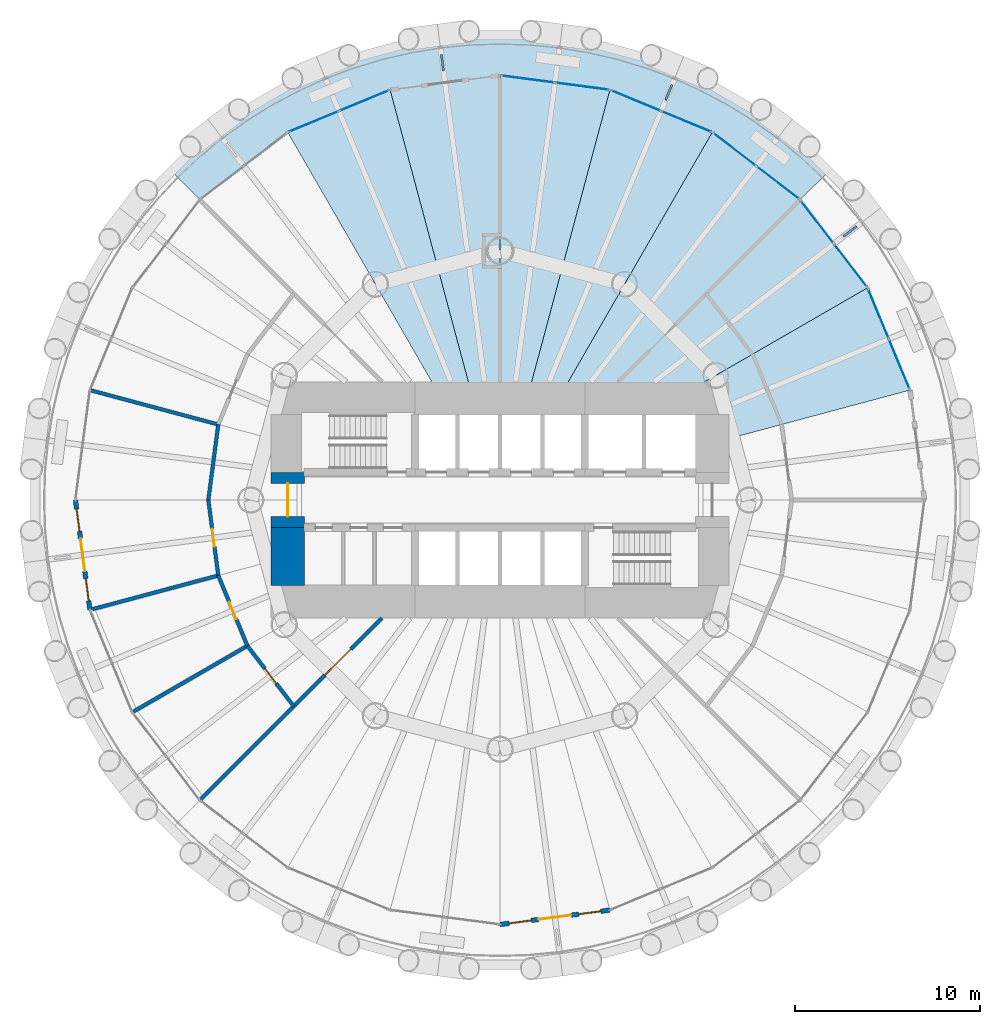
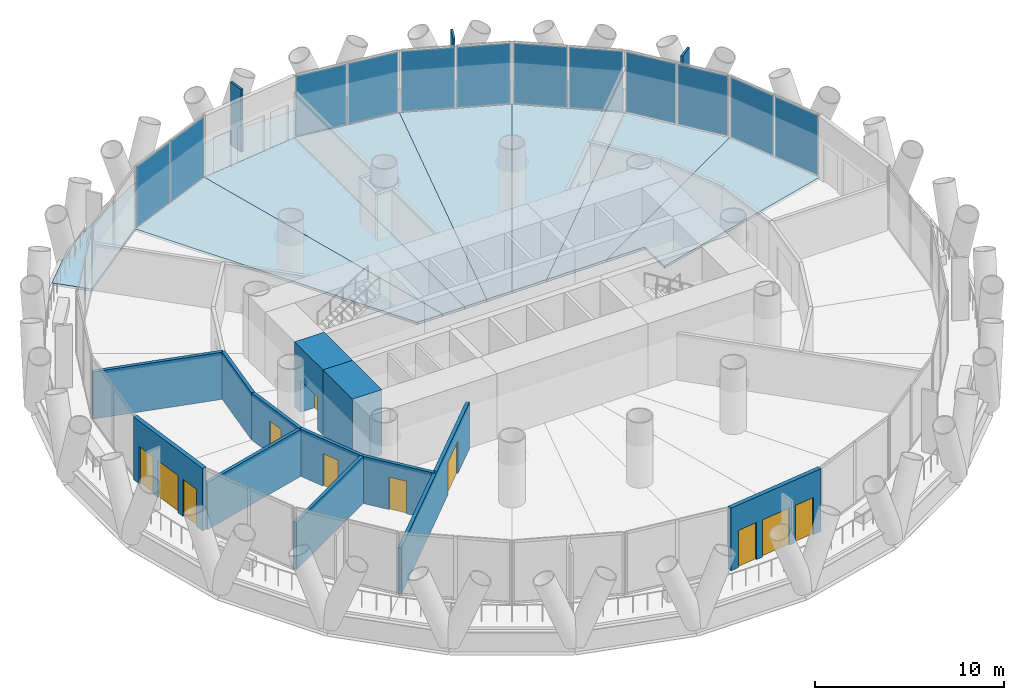
# One storey, part 8 of 14: 15 plates, 12 walls, 8 slabs, 7 doors, 4 windows, 11 openings, 6 elements without a shape of their own.
"""IFC4 building model written with IfcOpenShell, lengths in metres."""

from ifc_helpers import new_model, si_unit, direction, frame, frame_2d, origin, origin_2d, place, context, subcontext, project, spatial, polyline, rectangle, outline, extrude, material, layer, layer_set, type_object, element, fill, aggregate, save


model = new_model("IFC4")

# Units and contexts
model_context = context("Model", 3, precision=1e-05, world=origin(), true_north=direction((0.0, 1.0)))
body_context = subcontext(model_context, "Body", "Model", "MODEL_VIEW")
ifc_project = project(units=[si_unit("LENGTHUNIT", "METRE"), si_unit("AREAUNIT", "SQUARE_METRE"), si_unit("VOLUMEUNIT", "CUBIC_METRE"), si_unit("PLANEANGLEUNIT", "RADIAN"), si_unit("MASSUNIT", "GRAM", prefix="KILO")], contexts=[model_context])

# Site, building, storey
site_placement = place(None, origin())
site = spatial("IfcSite", under=ifc_project, at=site_placement, CompositionType="ELEMENT")
building_placement = place(site_placement, origin())
building = spatial("IfcBuilding", under=site, at=building_placement, Name="Qaws Media Tower", CompositionType="ELEMENT")
storey_placement = place(building_placement, frame((0.0, 0.0, 68.0)))
storey = spatial("IfcBuildingStorey", under=building, at=storey_placement, Name="L14", CompositionType="ELEMENT", Elevation=68.0)

# Slabs
ifc_material_1 = material(Name="Concrete C35/45", Category="concrete")
ifc_layer_1 = layer(ifc_material_1, 0.159912109375)
ifc_layer_set_1 = layer_set([ifc_layer_1], Name="Composite balcony slab 160")
slab_type_1 = type_object("IfcSlabType", Name="Composite balcony slab 160", PredefinedType="FLOOR", material=ifc_layer_set_1)
slab_1_placement = place(storey_placement, frame((0.0, 0.0, -0.159912109375)))
element("IfcSlab", 1, at=slab_1_placement, inside=storey, type_object=slab_type_1, Name="S2 balcony slab L14 R04 to R10, movement joints on R04 and R10", PredefinedType="FLOOR", context=body_context, shape_type="SweptSolid", body=[
    extrude(outline(polyline([(44.53759765625, 70.151123046875), (50.27978515625, 73.466552734375), (56.6845703125, 75.1826171875), (63.3154296875, 75.1826171875), (69.72021484375, 73.466552734375), (75.46240234375, 70.151123046875), (77.806884765625, 67.806884765625), (76.263427734375, 66.263427734375), (71.5, 69.918701171875), (65.952880859375, 72.21630859375), (60.0, 73.0), (54.047119140625, 72.21630859375), (48.5, 69.918701171875), (43.736572265625, 66.263427734375), (42.193115234375, 67.806884765625), (44.53759765625, 70.151123046875)])), origin(), (0.0, 0.0, 1.0), 0.159912109375),
])
ifc_material_2 = material(Name="Concrete C35/45", Category="concrete")
ifc_layer_2 = layer(ifc_material_2, 0.159912109375)
ifc_layer_set_2 = layer_set([ifc_layer_2], Name="Composite floor slab 160")
slab_type_2 = type_object("IfcSlabType", Name="Composite floor slab 160", PredefinedType="FLOOR", material=ifc_layer_set_2)
slab_2_placement = place(storey_placement, frame((0.0, 0.0, -0.159912109375)))
element("IfcSlab", 2, at=slab_2_placement, inside=storey, type_object=slab_type_2, Name="S1 floor panel L14 on R02+7.5", PredefinedType="FLOOR", context=body_context, shape_type="SweptSolid", body=[
    extrude(outline(polyline([(82.21630859375, 55.952880859375), (71.0, 52.947509765625), (71.0, 55.0), (68.660400390625, 55.0), (79.918701171875, 61.5), (82.21630859375, 55.952880859375)])), origin(), (0.0, 0.0, 1.0), 0.159912109375),
])
slab_3_placement = place(storey_placement, frame((0.0, 0.0, -0.159912109375)))
element("IfcSlab", 3, at=slab_3_placement, inside=storey, type_object=slab_type_2, Name="S1 floor panel L14 on R03+7.5", PredefinedType="FLOOR", context=body_context, shape_type="SweptSolid", body=[
    extrude(outline(polyline([(79.918701171875, 61.5), (68.660400390625, 55.0), (65.0, 55.0), (76.263427734375, 66.263427734375), (79.918701171875, 61.5)])), origin(), (0.0, 0.0, 1.0), 0.159912109375),
])
slab_4_placement = place(storey_placement, frame((0.0, 0.0, -0.159912109375)))
element("IfcSlab", 4, at=slab_4_placement, inside=storey, type_object=slab_type_2, Name="S1 floor panel L14 on R04+7.5", PredefinedType="FLOOR", context=body_context, shape_type="SweptSolid", body=[
    extrude(outline(polyline([(71.5, 69.918701171875), (76.263427734375, 66.263427734375), (65.0, 55.0), (62.88671875, 55.0), (71.5, 69.918701171875)])), origin(), (0.0, 0.0, 1.0), 0.159912109375),
])
slab_5_placement = place(storey_placement, frame((0.0, 0.0, -0.159912109375)))
element("IfcSlab", 5, at=slab_5_placement, inside=storey, type_object=slab_type_2, Name="S1 floor panel L14 on R05+7.5", PredefinedType="FLOOR", context=body_context, shape_type="SweptSolid", body=[
    extrude(outline(polyline([(71.5, 69.918701171875), (62.88671875, 55.0), (61.339599609375, 55.0), (65.952880859375, 72.21630859375), (71.5, 69.918701171875)])), origin(), (0.0, 0.0, 1.0), 0.159912109375),
])
slab_6_placement = place(storey_placement, frame((0.0, 0.0, -0.159912109375)))
element("IfcSlab", 6, at=slab_6_placement, inside=storey, type_object=slab_type_2, Name="S1 floor panel L14 on R06+7.5", PredefinedType="FLOOR", context=body_context, shape_type="SweptSolid", body=[
    extrude(outline(polyline([(65.952880859375, 72.21630859375), (61.339599609375, 55.0), (60.0, 55.0), (60.0, 73.0), (65.952880859375, 72.21630859375)])), origin(), (0.0, 0.0, 1.0), 0.159912109375),
])
slab_7_placement = place(storey_placement, frame((0.0, 0.0, -0.159912109375)))
element("IfcSlab", 7, at=slab_7_placement, inside=storey, type_object=slab_type_2, Name="S1 floor panel L14 on R07+7.5", PredefinedType="FLOOR", context=body_context, shape_type="SweptSolid", body=[
    extrude(outline(polyline([(54.047119140625, 72.21630859375), (60.0, 73.0), (60.0, 55.0), (58.660400390625, 55.0), (54.047119140625, 72.21630859375)])), origin(), (0.0, 0.0, 1.0), 0.159912109375),
])
slab_8_placement = place(storey_placement, frame((0.0, 0.0, -0.159912109375)))
element("IfcSlab", 8, at=slab_8_placement, inside=storey, type_object=slab_type_2, Name="S1 floor panel L14 on R08+7.5", PredefinedType="FLOOR", context=body_context, shape_type="SweptSolid", body=[
    extrude(outline(polyline([(54.047119140625, 72.21630859375), (58.660400390625, 55.0), (57.11328125, 55.0), (48.5, 69.918701171875), (54.047119140625, 72.21630859375)])), origin(), (0.0, 0.0, 1.0), 0.159912109375),
])

# Curtain wall, plates
ifc_material_3 = material(Name="Aluminium and clear glass", Category="aluminium")
curtain_wall_type = type_object("IfcCurtainWallType", Name="Unitised curtain wall CW-A", PredefinedType="NOTDEFINED", material=ifc_material_3)
curtain_wall_1_placement = place(storey_placement, origin())
curtain_wall_1 = element("IfcCurtainWall", 9, at=curtain_wall_1_placement, inside=storey, type_object=curtain_wall_type, Name="CWA curtain wall L14-02", PredefinedType="NOTDEFINED")
ifc_material_4 = material(Name="Clear laminated double glazing", Category="glass")
ifc_layer_3 = layer(ifc_material_4, 0.031982421875)
ifc_layer_set_3 = layer_set([ifc_layer_3], Name="Curtain wall glass unit 32")
plate_type_1 = type_object("IfcPlateType", Name="Curtain wall glass unit 32", PredefinedType="CURTAIN_PANEL", material=ifc_layer_set_3)
plate_1_placement = place(storey_placement, frame((81.63427734375, 57.358154296875, 0.080078125), z_axis=(0.0, 0.0, 1.0), x_axis=(-0.382683470307, 0.923879516795, 0.0)))
plate_1 = element("IfcPlate", 10, at=plate_1_placement, type_object=plate_type_1, Name="CWA panel 1.1", PredefinedType="CURTAIN_PANEL", context=body_context, shape_type="SweptSolid", body=[
    extrude(rectangle(XDim=2.882080078125, YDim=0.031982421875, at=origin_2d()), origin(), (0.0, 0.0, 1.0), 3.8798828125),
])
plate_2_placement = place(storey_placement, frame((80.500732421875, 60.0947265625, 0.080078125), z_axis=(0.0, 0.0, 1.0), x_axis=(-0.382683470307, 0.923879516795, 0.0)))
plate_2 = element("IfcPlate", 11, at=plate_2_placement, type_object=plate_type_1, Name="CWA panel 2.1", PredefinedType="CURTAIN_PANEL", context=body_context, shape_type="SweptSolid", body=[
    extrude(rectangle(XDim=2.882080078125, YDim=0.031982421875, at=origin_2d()), origin(), (0.0, 0.0, 1.0), 3.8798828125),
])
aggregate(curtain_wall_1, [plate_1, plate_2])

curtain_wall_2_placement = place(storey_placement, origin())
curtain_wall_2 = element("IfcCurtainWall", 12, at=curtain_wall_2_placement, inside=storey, type_object=curtain_wall_type, Name="CWA curtain wall L14-03", PredefinedType="NOTDEFINED")
plate_3_placement = place(storey_placement, frame((78.99267578125, 62.706787109375, 0.080078125), z_axis=(0.0, 0.0, 1.0), x_axis=(-0.608761392855, 0.793353368033, 0.0)))
plate_3 = element("IfcPlate", 13, at=plate_3_placement, type_object=plate_type_1, Name="CWA panel 1.1", PredefinedType="CURTAIN_PANEL", context=body_context, shape_type="SweptSolid", body=[
    extrude(rectangle(XDim=2.882080078125, YDim=0.031982421875, at=origin_2d()), origin(), (0.0, 0.0, 1.0), 3.8798828125),
])
plate_4_placement = place(storey_placement, frame((77.189453125, 65.056640625, 0.080078125), z_axis=(0.0, 0.0, 1.0), x_axis=(-0.608761392855, 0.793353368033, 0.0)))
plate_4 = element("IfcPlate", 14, at=plate_4_placement, type_object=plate_type_1, Name="CWA panel 2.1", PredefinedType="CURTAIN_PANEL", context=body_context, shape_type="SweptSolid", body=[
    extrude(rectangle(XDim=2.882080078125, YDim=0.031982421875, at=origin_2d()), origin(), (0.0, 0.0, 1.0), 3.8798828125),
])
aggregate(curtain_wall_2, [plate_3, plate_4])

curtain_wall_3_placement = place(storey_placement, origin())
curtain_wall_3 = element("IfcCurtainWall", 15, at=curtain_wall_3_placement, inside=storey, type_object=curtain_wall_type, Name="CWA curtain wall L14-04", PredefinedType="NOTDEFINED")
plate_5_placement = place(storey_placement, frame((75.056640625, 67.189453125, 0.080078125), z_axis=(0.0, 0.0, 1.0), x_axis=(-0.793353368033, 0.608761392855, 0.0)))
plate_5 = element("IfcPlate", 16, at=plate_5_placement, type_object=plate_type_1, Name="CWA panel 1.1", PredefinedType="CURTAIN_PANEL", context=body_context, shape_type="SweptSolid", body=[
    extrude(rectangle(XDim=2.882080078125, YDim=0.031982421875, at=origin_2d()), origin(), (0.0, 0.0, 1.0), 3.8798828125),
])
plate_6_placement = place(storey_placement, frame((72.706787109375, 68.99267578125, 0.080078125), z_axis=(0.0, 0.0, 1.0), x_axis=(-0.793353368033, 0.608761392855, 0.0)))
plate_6 = element("IfcPlate", 17, at=plate_6_placement, type_object=plate_type_1, Name="CWA panel 2.1", PredefinedType="CURTAIN_PANEL", context=body_context, shape_type="SweptSolid", body=[
    extrude(rectangle(XDim=2.882080078125, YDim=0.031982421875, at=origin_2d()), origin(), (0.0, 0.0, 1.0), 3.8798828125),
])
aggregate(curtain_wall_3, [plate_5, plate_6])

curtain_wall_4_placement = place(storey_placement, origin())
curtain_wall_4 = element("IfcCurtainWall", 18, at=curtain_wall_4_placement, inside=storey, type_object=curtain_wall_type, Name="CWA curtain wall L14-05", PredefinedType="NOTDEFINED")
plate_7_placement = place(storey_placement, frame((70.0947265625, 70.500732421875, 0.080078125), z_axis=(0.0, 0.0, 1.0), x_axis=(-0.923879516795, 0.382683470307, 0.0)))
plate_7 = element("IfcPlate", 19, at=plate_7_placement, type_object=plate_type_1, Name="CWA panel 1.1", PredefinedType="CURTAIN_PANEL", context=body_context, shape_type="SweptSolid", body=[
    extrude(rectangle(XDim=2.882080078125, YDim=0.031982421875, at=origin_2d()), origin(), (0.0, 0.0, 1.0), 3.8798828125),
])
plate_8_placement = place(storey_placement, frame((67.358154296875, 71.63427734375, 0.080078125), z_axis=(0.0, 0.0, 1.0), x_axis=(-0.923879516795, 0.382683470307, 0.0)))
plate_8 = element("IfcPlate", 20, at=plate_8_placement, type_object=plate_type_1, Name="CWA panel 2.1", PredefinedType="CURTAIN_PANEL", context=body_context, shape_type="SweptSolid", body=[
    extrude(rectangle(XDim=2.882080078125, YDim=0.031982421875, at=origin_2d()), origin(), (0.0, 0.0, 1.0), 3.8798828125),
])
aggregate(curtain_wall_4, [plate_7, plate_8])

curtain_wall_5_placement = place(storey_placement, origin())
curtain_wall_5 = element("IfcCurtainWall", 21, at=curtain_wall_5_placement, inside=storey, type_object=curtain_wall_type, Name="CWA curtain wall L14-06", PredefinedType="NOTDEFINED")
plate_9_placement = place(storey_placement, frame((64.44482421875, 72.414794921875, 0.080078125), z_axis=(0.0, 0.0, 1.0), x_axis=(-0.991444861167, 0.130526193795, 0.0)))
plate_9 = element("IfcPlate", 22, at=plate_9_placement, type_object=plate_type_1, Name="CWA panel 1.1", PredefinedType="CURTAIN_PANEL", context=body_context, shape_type="SweptSolid", body=[
    extrude(rectangle(XDim=2.882080078125, YDim=0.031982421875, at=origin_2d()), origin(), (0.0, 0.0, 1.0), 3.8798828125),
])
plate_10_placement = place(storey_placement, frame((61.508056640625, 72.801513671875, 0.080078125), z_axis=(0.0, 0.0, 1.0), x_axis=(-0.991444861167, 0.130526193795, 0.0)))
plate_10 = element("IfcPlate", 23, at=plate_10_placement, type_object=plate_type_1, Name="CWA panel 2.1", PredefinedType="CURTAIN_PANEL", context=body_context, shape_type="SweptSolid", body=[
    extrude(rectangle(XDim=2.882080078125, YDim=0.031982421875, at=origin_2d()), origin(), (0.0, 0.0, 1.0), 3.8798828125),
])
aggregate(curtain_wall_5, [plate_9, plate_10])

curtain_wall_6_placement = place(storey_placement, origin())
curtain_wall_6 = element("IfcCurtainWall", 24, at=curtain_wall_6_placement, inside=storey, type_object=curtain_wall_type, Name="CWA curtain wall L14-08", PredefinedType="NOTDEFINED")
plate_11_placement = place(storey_placement, frame((52.641845703125, 71.63427734375, 0.080078125), z_axis=(0.0, 0.0, 1.0), x_axis=(-0.923879516795, -0.382683470307, 0.0)))
plate_11 = element("IfcPlate", 25, at=plate_11_placement, type_object=plate_type_1, Name="CWA panel 1.1", PredefinedType="CURTAIN_PANEL", context=body_context, shape_type="SweptSolid", body=[
    extrude(rectangle(XDim=2.882080078125, YDim=0.031982421875, at=origin_2d()), origin(), (0.0, 0.0, 1.0), 3.8798828125),
])
plate_12_placement = place(storey_placement, frame((49.9052734375, 70.500732421875, 0.080078125), z_axis=(0.0, 0.0, 1.0), x_axis=(-0.923879516795, -0.382683470307, 0.0)))
plate_12 = element("IfcPlate", 26, at=plate_12_placement, type_object=plate_type_1, Name="CWA panel 2.1", PredefinedType="CURTAIN_PANEL", context=body_context, shape_type="SweptSolid", body=[
    extrude(rectangle(XDim=2.882080078125, YDim=0.031982421875, at=origin_2d()), origin(), (0.0, 0.0, 1.0), 3.8798828125),
])
aggregate(curtain_wall_6, [plate_11, plate_12])

# Plates
ifc_material_5 = material(Name="Precast concrete screen fin", Category="concrete")
ifc_layer_4 = layer(ifc_material_5, 0.1201171875)
ifc_layer_set_4 = layer_set([ifc_layer_4], Name="Screen fin 120x900")
plate_type_2 = type_object("IfcPlateType", Name="Screen fin 120x900", PredefinedType="USERDEFINED", material=ifc_layer_set_4)
for number, where, z_axis, x_axis, name in (
    (27, (78.961181640625, 64.54931640625, 0.0), (0.0, 0.0, 1.0), (0.793353340291, 0.608761429009, 0.0), "SCR1 screen fin L14-02"),
    (28, (69.146240234375, 72.080810546875, 0.0), (0.0, 0.0, 1.0), (0.382683432365, 0.923879532511, 0.0), "SCR1 screen fin L14-03"),
    (29, (56.88037109375, 73.695556640625, 0.0), (0.0, 0.0, 1.0), (-0.13052619222, 0.991444861374, 0.0), "SCR1 screen fin L14-04"),
):
    element("IfcPlate", number, at=place(storey_placement, frame(where, z_axis=z_axis, x_axis=x_axis)), inside=storey, type_object=plate_type_2, Name=name, ObjectType="SCREEN", PredefinedType="USERDEFINED", context=body_context, shape_type="SweptSolid", body=[
        extrude(rectangle(XDim=0.89990234375, YDim=0.1201171875, at=origin_2d()), origin(), (0.0, 0.0, 1.0), 4.0400390625),
    ])

# Wall, openings, door, windows
ifc_material_6 = material(Name="Precast concrete, exposed finish", Category="concrete")
ifc_layer_5 = layer(ifc_material_6, 0.25)
ifc_layer_set_5 = layer_set([ifc_layer_5], Name="Balcony door wall 250")
wall_type_1 = type_object("IfcWallType", Name="Balcony door wall 250", PredefinedType="SOLIDWALL", material=ifc_layer_set_5)
wall_1_placement = place(storey_placement, frame((37.0, 50.0, 0.0), z_axis=(0.0, 0.0, 1.0), x_axis=(0.130522880875, -0.991445297315, 0.0)))
wall_1 = element("IfcWall", 30, at=wall_1_placement, inside=storey, type_object=wall_type_1, Name="W145 EW1 balcony door wall L14-13", PredefinedType="SOLIDWALL", context=body_context, shape_type="SweptSolid", body=[
    extrude(rectangle(XDim=6.004150390625, YDim=0.25, at=frame_2d((3.001953125, 0.0))), origin(), (0.0, 0.0, 1.0), 4.0400390625),
])
opening_1_placement = place(wall_1_placement, frame((2.10205078125, 0.0, 0.0)))
opening_1 = element("IfcOpeningElement", 31, at=opening_1_placement, cuts=wall_1, Name="Opening D7", PredefinedType="OPENING", context=body_context, shape_type="SweptSolid", body=[
    extrude(rectangle(XDim=1.800048828125, YDim=2.39990234375, at=frame_2d((0.89990234375, 1.199951171875))), frame((0.0, 0.135009765625, 0.0), z_axis=(0.0, -1.0, 0.0), x_axis=(1.0, 0.0, 0.0)), (0.0, 0.0, 1.0), 0.27001953125),
])
opening_2_placement = place(wall_1_placement, frame((0.502197265625, 0.0, 0.0)))
opening_2 = element("IfcOpeningElement", 32, at=opening_2_placement, cuts=wall_1, Name="Opening W1", PredefinedType="OPENING", context=body_context, shape_type="SweptSolid", body=[
    extrude(rectangle(XDim=1.199951171875, YDim=2.39990234375, at=frame_2d((0.60009765625, 1.199951171875))), frame((0.0, 0.135009765625, 0.0), z_axis=(0.0, -1.0, 0.0), x_axis=(1.0, 0.0, 0.0)), (0.0, 0.0, 1.0), 0.27001953125),
])
opening_3_placement = place(wall_1_placement, frame((4.302001953125, 0.0, 0.0)))
opening_3 = element("IfcOpeningElement", 33, at=opening_3_placement, cuts=wall_1, Name="Opening W1", PredefinedType="OPENING", context=body_context, shape_type="SweptSolid", body=[
    extrude(rectangle(XDim=1.199951171875, YDim=2.39990234375, at=frame_2d((0.60009765625, 1.199951171875))), frame((0.0, 0.135009765625, 0.0), z_axis=(0.0, -1.0, 0.0), x_axis=(1.0, 0.0, 0.0)), (0.0, 0.0, 1.0), 0.27001953125),
])
ifc_material_7 = material(Name="Aluminium and clear glass", Category="aluminium")
door_type_1 = type_object("IfcDoorType", Name="Balcony door pair 1800", OperationType="DOUBLE_DOOR_SLIDING", PredefinedType="DOOR", material=ifc_material_7)
door_1_placement = place(opening_1_placement, origin())
door_1 = element("IfcDoor", 34, at=door_1_placement, inside=storey, type_object=door_type_1, Name="D7 balcony door L14-13 in wall W145", OperationType="DOUBLE_DOOR_SLIDING", OverallHeight=2.39990234375, OverallWidth=1.800048828125, PredefinedType="DOOR", context=body_context, shape_type="SweptSolid", body=[
    extrude(rectangle(XDim=1.800048828125, YDim=2.39990234375, at=frame_2d((0.89990234375, 1.199951171875))), frame((0.0, 0.02490234375, 0.0), z_axis=(0.0, -1.0, 0.0), x_axis=(1.0, 0.0, 0.0)), (0.0, 0.0, 1.0), 0.050048828125),
])
fill(opening_1, door_1)
ifc_material_8 = material(Name="Aluminium and clear glass", Category="aluminium")
window_type = type_object("IfcWindowType", Name="Balcony side window 1200", PartitioningType="SINGLE_PANEL", PredefinedType="WINDOW", material=ifc_material_8)
window_1_placement = place(opening_2_placement, origin())
window_1 = element("IfcWindow", 35, at=window_1_placement, inside=storey, type_object=window_type, Name="W1 balcony side light L14-13L", OverallHeight=2.39990234375, OverallWidth=1.199951171875, PartitioningType="SINGLE_PANEL", PredefinedType="WINDOW", context=body_context, shape_type="SweptSolid", body=[
    extrude(rectangle(XDim=1.199951171875, YDim=2.39990234375, at=frame_2d((0.60009765625, 1.199951171875))), frame((0.0, 0.030029296875, 0.0), z_axis=(0.0, -1.0, 0.0), x_axis=(1.0, 0.0, 0.0)), (0.0, 0.0, 1.0), 0.06005859375),
])
fill(opening_2, window_1)
window_2_placement = place(opening_3_placement, origin())
window_2 = element("IfcWindow", 36, at=window_2_placement, inside=storey, type_object=window_type, Name="W1 balcony side light L14-13R", OverallHeight=2.39990234375, OverallWidth=1.199951171875, PartitioningType="SINGLE_PANEL", PredefinedType="WINDOW", context=body_context, shape_type="SweptSolid", body=[
    extrude(rectangle(XDim=1.199951171875, YDim=2.39990234375, at=frame_2d((0.60009765625, 1.199951171875))), frame((0.0, 0.030029296875, 0.0), z_axis=(0.0, -1.0, 0.0), x_axis=(1.0, 0.0, 0.0)), (0.0, 0.0, 1.0), 0.06005859375),
])
fill(opening_3, window_2)

wall_2_placement = place(storey_placement, frame((60.0, 27.0, 0.0), z_axis=(0.0, 0.0, 1.0), x_axis=(0.991445297315, 0.130522880875, 0.0)))
wall_2 = element("IfcWall", 37, at=wall_2_placement, inside=storey, type_object=wall_type_1, Name="W146 EW1 balcony door wall L14-19", PredefinedType="SOLIDWALL", context=body_context, shape_type="SweptSolid", body=[
    extrude(rectangle(XDim=6.004150390625, YDim=0.25, at=frame_2d((3.001953125, 0.0))), origin(), (0.0, 0.0, 1.0), 4.0400390625),
])
opening_4_placement = place(wall_2_placement, frame((2.10205078125, 0.0, 0.0)))
opening_4 = element("IfcOpeningElement", 38, at=opening_4_placement, cuts=wall_2, Name="Opening D7", PredefinedType="OPENING", context=body_context, shape_type="SweptSolid", body=[
    extrude(rectangle(XDim=1.800048828125, YDim=2.39990234375, at=frame_2d((0.89990234375, 1.199951171875))), frame((0.0, 0.135009765625, 0.0), z_axis=(0.0, -1.0, 0.0), x_axis=(1.0, 0.0, 0.0)), (0.0, 0.0, 1.0), 0.27001953125),
])
opening_5_placement = place(wall_2_placement, frame((0.502197265625, 0.0, 0.0)))
opening_5 = element("IfcOpeningElement", 39, at=opening_5_placement, cuts=wall_2, Name="Opening W1", PredefinedType="OPENING", context=body_context, shape_type="SweptSolid", body=[
    extrude(rectangle(XDim=1.199951171875, YDim=2.39990234375, at=frame_2d((0.60009765625, 1.199951171875))), frame((0.0, 0.135009765625, 0.0), z_axis=(0.0, -1.0, 0.0), x_axis=(1.0, 0.0, 0.0)), (0.0, 0.0, 1.0), 0.27001953125),
])
opening_6_placement = place(wall_2_placement, frame((4.302001953125, 0.0, 0.0)))
opening_6 = element("IfcOpeningElement", 40, at=opening_6_placement, cuts=wall_2, Name="Opening W1", PredefinedType="OPENING", context=body_context, shape_type="SweptSolid", body=[
    extrude(rectangle(XDim=1.199951171875, YDim=2.39990234375, at=frame_2d((0.60009765625, 1.199951171875))), frame((0.0, 0.135009765625, 0.0), z_axis=(0.0, -1.0, 0.0), x_axis=(1.0, 0.0, 0.0)), (0.0, 0.0, 1.0), 0.27001953125),
])
door_2_placement = place(opening_4_placement, origin())
door_2 = element("IfcDoor", 41, at=door_2_placement, inside=storey, type_object=door_type_1, Name="D7 balcony door L14-19 in wall W146", OperationType="DOUBLE_DOOR_SLIDING", OverallHeight=2.39990234375, OverallWidth=1.800048828125, PredefinedType="DOOR", context=body_context, shape_type="SweptSolid", body=[
    extrude(rectangle(XDim=1.800048828125, YDim=2.39990234375, at=frame_2d((0.89990234375, 1.199951171875))), frame((0.0, 0.02490234375, 0.0), z_axis=(0.0, -1.0, 0.0), x_axis=(1.0, 0.0, 0.0)), (0.0, 0.0, 1.0), 0.050048828125),
])
fill(opening_4, door_2)
window_3_placement = place(opening_5_placement, origin())
window_3 = element("IfcWindow", 42, at=window_3_placement, inside=storey, type_object=window_type, Name="W1 balcony side light L14-19L", OverallHeight=2.39990234375, OverallWidth=1.199951171875, PartitioningType="SINGLE_PANEL", PredefinedType="WINDOW", context=body_context, shape_type="SweptSolid", body=[
    extrude(rectangle(XDim=1.199951171875, YDim=2.39990234375, at=frame_2d((0.60009765625, 1.199951171875))), frame((0.0, 0.030029296875, 0.0), z_axis=(0.0, -1.0, 0.0), x_axis=(1.0, 0.0, 0.0)), (0.0, 0.0, 1.0), 0.06005859375),
])
fill(opening_5, window_3)
window_4_placement = place(opening_6_placement, origin())
window_4 = element("IfcWindow", 43, at=window_4_placement, inside=storey, type_object=window_type, Name="W1 balcony side light L14-19R", OverallHeight=2.39990234375, OverallWidth=1.199951171875, PartitioningType="SINGLE_PANEL", PredefinedType="WINDOW", context=body_context, shape_type="SweptSolid", body=[
    extrude(rectangle(XDim=1.199951171875, YDim=2.39990234375, at=frame_2d((0.60009765625, 1.199951171875))), frame((0.0, 0.030029296875, 0.0), z_axis=(0.0, -1.0, 0.0), x_axis=(1.0, 0.0, 0.0)), (0.0, 0.0, 1.0), 0.06005859375),
])
fill(opening_6, window_4)

# Wall
ifc_material_9 = material(Name="Concrete C60/75", Category="concrete")
ifc_layer_6 = layer(ifc_material_9, 1.800048828125)
ifc_layer_set_6 = layer_set([ifc_layer_6], Name="Core wall 1800")
wall_type_2 = type_object("IfcWallType", Name="Core wall 1800", PredefinedType="SHEAR", material=ifc_layer_set_6)
wall_3_placement = place(storey_placement, frame((48.5, 45.3798828125, 0.0), z_axis=(0.0, 0.0, 1.0), x_axis=(0.0, 1.0, 0.0)))
element("IfcWall", 44, at=wall_3_placement, inside=storey, type_object=wall_type_2, Name="W400 SW11 core wall WS L14", PredefinedType="SHEAR", context=body_context, shape_type="SweptSolid", body=[
    extrude(rectangle(XDim=3.1201171875, YDim=1.800048828125, at=frame_2d((1.56005859375, 0.0))), origin(), (0.0, 0.0, 1.0), 4.199951171875),
])

# Wall, opening, door
wall_4_placement = place(storey_placement, frame((48.5, 48.5, 0.0), z_axis=(0.0, 0.0, 1.0), x_axis=(0.0, 1.0, 0.0)))
wall_4 = element("IfcWall", 45, at=wall_4_placement, inside=storey, type_object=wall_type_2, Name="W401 SW11 core wall W L14", PredefinedType="SHEAR", context=body_context, shape_type="SweptSolid", body=[
    extrude(rectangle(XDim=3.0, YDim=1.800048828125, at=frame_2d((1.5, 0.0))), origin(), (0.0, 0.0, 1.0), 4.199951171875),
])
opening_7_placement = place(wall_4_placement, frame((0.60009765625, 0.0, 0.0)))
opening_7 = element("IfcOpeningElement", 46, at=opening_7_placement, cuts=wall_4, Name="Opening D2", PredefinedType="OPENING", context=body_context, shape_type="SweptSolid", body=[
    extrude(rectangle(XDim=1.800048828125, YDim=2.10009765625, at=frame_2d((0.89990234375, 1.050048828125))), frame((0.0, 0.909912109375, 0.0), z_axis=(0.0, -1.0, 0.0), x_axis=(1.0, 0.0, 0.0)), (0.0, 0.0, 1.0), 1.820068359375),
])
ifc_material_10 = material(Name="Steel and glass, fire rated", Category="steel")
door_type_2 = type_object("IfcDoorType", Name="Lobby door pair 1800 FD60", OperationType="DOUBLE_DOOR_DOUBLE_SWING", PredefinedType="DOOR", material=ifc_material_10)
door_3_placement = place(opening_7_placement, origin())
door_3 = element("IfcDoor", 47, at=door_3_placement, inside=storey, type_object=door_type_2, Name="D2 core lobby door W L14 in wall W401", OperationType="DOUBLE_DOOR_DOUBLE_SWING", OverallHeight=2.10009765625, OverallWidth=1.800048828125, PredefinedType="DOOR", context=body_context, shape_type="SweptSolid", body=[
    extrude(rectangle(XDim=1.800048828125, YDim=2.10009765625, at=frame_2d((0.89990234375, 1.050048828125))), frame((0.0, 0.02490234375, 0.0), z_axis=(0.0, -1.0, 0.0), x_axis=(1.0, 0.0, 0.0)), (0.0, 0.0, 1.0), 0.050048828125),
])
fill(opening_7, door_3)

ifc_material_11 = material(Name="Gypsum board on galvanised metal studs, acoustic double stud, deflection head", Category="gypsum")
ifc_layer_7 = layer(ifc_material_11, 0.199951171875)
ifc_layer_set_7 = layer_set([ifc_layer_7], Name="Room partition 200")
wall_type_3 = type_object("IfcWallType", Name="Room partition 200", PredefinedType="PARTITIONING", material=ifc_layer_set_7)
wall_5_placement = place(storey_placement, frame((48.82763671875, 38.82763671875, 0.0), z_axis=(0.0, 0.0, 1.0), x_axis=(-0.608714823874, 0.793389099494, 0.0)))
wall_5 = element("IfcWall", 48, at=wall_5_placement, inside=storey, type_object=wall_type_3, Name="W948 IW3 partition L14", PredefinedType="PARTITIONING", context=body_context, shape_type="SweptSolid", body=[
    extrude(rectangle(XDim=4.124755859375, YDim=0.199951171875, at=frame_2d((2.0625, 0.0))), origin(), (0.0, 0.0, 1.0), 3.0400390625),
])
opening_8_placement = place(wall_5_placement, frame((1.562255859375, 0.0, 0.0)))
opening_8 = element("IfcOpeningElement", 49, at=opening_8_placement, cuts=wall_5, Name="Opening D5", PredefinedType="OPENING", context=body_context, shape_type="SweptSolid", body=[
    extrude(rectangle(XDim=1.0, YDim=2.10009765625, at=frame_2d((0.5, 1.050048828125))), frame((0.0, 0.10986328125, 0.0), z_axis=(0.0, -1.0, 0.0), x_axis=(1.0, 0.0, 0.0)), (0.0, 0.0, 1.0), 0.219970703125),
])
ifc_material_12 = material(Name="Timber veneered, acoustic seal", Category="wood")
door_type_3 = type_object("IfcDoorType", Name="Room door 1000", OperationType="SINGLE_SWING_LEFT", PredefinedType="DOOR", material=ifc_material_12)
door_4_placement = place(opening_8_placement, origin())
door_4 = element("IfcDoor", 50, at=door_4_placement, inside=storey, type_object=door_type_3, Name="D5 Ladies toilets door L14 in wall W948", OperationType="SINGLE_SWING_LEFT", OverallHeight=2.10009765625, OverallWidth=1.0, PredefinedType="DOOR", context=body_context, shape_type="SweptSolid", body=[
    extrude(rectangle(XDim=1.0, YDim=2.10009765625, at=frame_2d((0.5, 1.050048828125))), frame((0.0, 0.02490234375, 0.0), z_axis=(0.0, -1.0, 0.0), x_axis=(1.0, 0.0, 0.0)), (0.0, 0.0, 1.0), 0.050048828125),
])
fill(opening_8, door_4)

wall_6_placement = place(storey_placement, frame((46.31689453125, 42.10009765625, 0.0), z_axis=(0.0, 0.0, 1.0), x_axis=(-0.382731667114, 0.923859551549, 0.0)))
wall_6 = element("IfcWall", 51, at=wall_6_placement, inside=storey, type_object=wall_type_3, Name="W946 IW3 partition L14", PredefinedType="PARTITIONING", context=body_context, shape_type="SweptSolid", body=[
    extrude(rectangle(XDim=4.12451171875, YDim=0.199951171875, at=frame_2d((2.062255859375, 0.0))), origin(), (0.0, 0.0, 1.0), 3.0400390625),
])
opening_9_placement = place(wall_6_placement, frame((1.562255859375, 0.0, 0.0)))
opening_9 = element("IfcOpeningElement", 52, at=opening_9_placement, cuts=wall_6, Name="Opening D5", PredefinedType="OPENING", context=body_context, shape_type="SweptSolid", body=[
    extrude(rectangle(XDim=1.0, YDim=2.10009765625, at=frame_2d((0.5, 1.050048828125))), frame((0.0, 0.10986328125, 0.0), z_axis=(0.0, -1.0, 0.0), x_axis=(1.0, 0.0, 0.0)), (0.0, 0.0, 1.0), 0.219970703125),
])
door_5_placement = place(opening_9_placement, origin())
door_5 = element("IfcDoor", 53, at=door_5_placement, inside=storey, type_object=door_type_3, Name="D5 Gents toilets door L14 in wall W946", OperationType="SINGLE_SWING_LEFT", OverallHeight=2.10009765625, OverallWidth=1.0, PredefinedType="DOOR", context=body_context, shape_type="SweptSolid", body=[
    extrude(rectangle(XDim=1.0, YDim=2.10009765625, at=frame_2d((0.5, 1.050048828125))), frame((0.0, 0.02490234375, 0.0), z_axis=(0.0, -1.0, 0.0), x_axis=(1.0, 0.0, 0.0)), (0.0, 0.0, 1.0), 0.050048828125),
])
fill(opening_9, door_5)

wall_7_placement = place(storey_placement, frame((44.73828125, 45.91064453125, 0.0), z_axis=(0.0, 0.0, 1.0), x_axis=(-0.130515758099, 0.991446234996, 0.0)))
wall_7 = element("IfcWall", 54, at=wall_7_placement, inside=storey, type_object=wall_type_3, Name="W943 IW3 partition L14", PredefinedType="PARTITIONING", context=body_context, shape_type="SweptSolid", body=[
    extrude(rectangle(XDim=4.124755859375, YDim=0.199951171875, at=frame_2d((2.0625, 0.0))), origin(), (0.0, 0.0, 1.0), 3.0400390625),
])
opening_10_placement = place(wall_7_placement, frame((1.562255859375, 0.0, 0.0)))
opening_10 = element("IfcOpeningElement", 55, at=opening_10_placement, cuts=wall_7, Name="Opening D5", PredefinedType="OPENING", context=body_context, shape_type="SweptSolid", body=[
    extrude(rectangle(XDim=1.0, YDim=2.10009765625, at=frame_2d((0.5, 1.050048828125))), frame((0.0, 0.10986328125, 0.0), z_axis=(0.0, -1.0, 0.0), x_axis=(1.0, 0.0, 0.0)), (0.0, 0.0, 1.0), 0.219970703125),
])
door_6_placement = place(opening_10_placement, origin())
door_6 = element("IfcDoor", 56, at=door_6_placement, inside=storey, type_object=door_type_3, Name="D5 Graphics studio door L14 in wall W943", OperationType="SINGLE_SWING_LEFT", OverallHeight=2.10009765625, OverallWidth=1.0, PredefinedType="DOOR", context=body_context, shape_type="SweptSolid", body=[
    extrude(rectangle(XDim=1.0, YDim=2.10009765625, at=frame_2d((0.5, 1.050048828125))), frame((0.0, 0.02490234375, 0.0), z_axis=(0.0, -1.0, 0.0), x_axis=(1.0, 0.0, 0.0)), (0.0, 0.0, 1.0), 0.050048828125),
])
fill(opening_10, door_6)

# Walls
wall_8_placement = place(storey_placement, frame((44.199951171875, 50.0, 0.0), z_axis=(0.0, 0.0, 1.0), x_axis=(0.130515758099, 0.991446234996, 0.0)))
element("IfcWall", 57, at=wall_8_placement, inside=storey, type_object=wall_type_3, Name="W941 IW3 partition L14", PredefinedType="PARTITIONING", context=body_context, shape_type="SweptSolid", body=[
    extrude(rectangle(XDim=4.124755859375, YDim=0.199951171875, at=frame_2d((2.0625, 0.0))), origin(), (0.0, 0.0, 1.0), 3.0400390625),
])
wall_9_placement = place(storey_placement, frame((44.73828125, 54.08935546875, 0.0), z_axis=(0.0, 0.0, 1.0), x_axis=(-0.965929787715, 0.258804260405, 0.0)))
element("IfcWall", 58, at=wall_9_placement, inside=storey, type_object=wall_type_3, Name="W1068 IW3 partition L14", PredefinedType="PARTITIONING", context=body_context, shape_type="SweptSolid", body=[
    extrude(rectangle(XDim=7.159912109375, YDim=0.199951171875, at=frame_2d((3.580078125, 0.0))), origin(), (0.0, 0.0, 1.0), 3.0400390625),
])
wall_10_placement = place(storey_placement, frame((44.73828125, 45.91064453125, 0.0), z_axis=(0.0, 0.0, 1.0), x_axis=(-0.965928911257, -0.258807531571, 0.0)))
element("IfcWall", 59, at=wall_10_placement, inside=storey, type_object=wall_type_3, Name="W1067 IW3 partition L14", PredefinedType="PARTITIONING", context=body_context, shape_type="SweptSolid", body=[
    extrude(rectangle(XDim=7.059814453125, YDim=0.199951171875, at=frame_2d((3.52978515625, 0.0))), origin(), (0.0, 0.0, 1.0), 3.0400390625),
])
wall_11_placement = place(storey_placement, frame((46.31689453125, 42.10009765625, 0.0), z_axis=(0.0, 0.0, 1.0), x_axis=(-0.866018643436, -0.500011709085, 0.0)))
element("IfcWall", 60, at=wall_11_placement, inside=storey, type_object=wall_type_3, Name="W1069 IW3 partition L14", PredefinedType="PARTITIONING", context=body_context, shape_type="SweptSolid", body=[
    extrude(rectangle(XDim=7.159912109375, YDim=0.199951171875, at=frame_2d((3.580078125, 0.0))), origin(), (0.0, 0.0, 1.0), 3.0400390625),
])

# Wall, opening, door
wall_12_placement = place(storey_placement, frame((53.60009765625, 43.60009765625, 0.0), z_axis=(0.0, 0.0, 1.0), x_axis=(-0.707106781187, -0.707106781187, 0.0)))
wall_12 = element("IfcWall", 61, at=wall_12_placement, inside=storey, type_object=wall_type_3, Name="W1070 IW3 partition L14", PredefinedType="PARTITIONING", context=body_context, shape_type="SweptSolid", body=[
    extrude(rectangle(XDim=13.9091796875, YDim=0.199951171875, at=frame_2d((6.95458984375, 0.0))), origin(), (0.0, 0.0, 1.0), 3.02001953125),
])
opening_11_placement = place(wall_12_placement, frame((2.37451171875, 0.0, 0.0)))
opening_11 = element("IfcOpeningElement", 62, at=opening_11_placement, cuts=wall_12, Name="Opening D6", PredefinedType="OPENING", context=body_context, shape_type="SweptSolid", body=[
    extrude(rectangle(XDim=2.0, YDim=2.10009765625, at=frame_2d((1.0, 1.050048828125))), frame((0.0, 0.10986328125, 0.0), z_axis=(0.0, -1.0, 0.0), x_axis=(1.0, 0.0, 0.0)), (0.0, 0.0, 1.0), 0.219970703125),
])
ifc_material_13 = material(Name="Steel, acoustic, fire rated", Category="steel")
door_type_4 = type_object("IfcDoorType", Name="Room door pair 2000", OperationType="DOUBLE_DOOR_DOUBLE_SWING", PredefinedType="DOOR", material=ifc_material_13)
door_7_placement = place(opening_11_placement, origin())
door_7 = element("IfcDoor", 63, at=door_7_placement, inside=storey, type_object=door_type_4, Name="D6 Graphics workroom door L14 in wall W1070", OperationType="DOUBLE_DOOR_DOUBLE_SWING", OverallHeight=2.10009765625, OverallWidth=2.0, PredefinedType="DOOR", context=body_context, shape_type="SweptSolid", body=[
    extrude(rectangle(XDim=2.0, YDim=2.10009765625, at=frame_2d((1.0, 1.050048828125))), frame((0.0, 0.02490234375, 0.0), z_axis=(0.0, -1.0, 0.0), x_axis=(1.0, 0.0, 0.0)), (0.0, 0.0, 1.0), 0.050048828125),
])
fill(opening_11, door_7)

save(model, "model.ifc")
